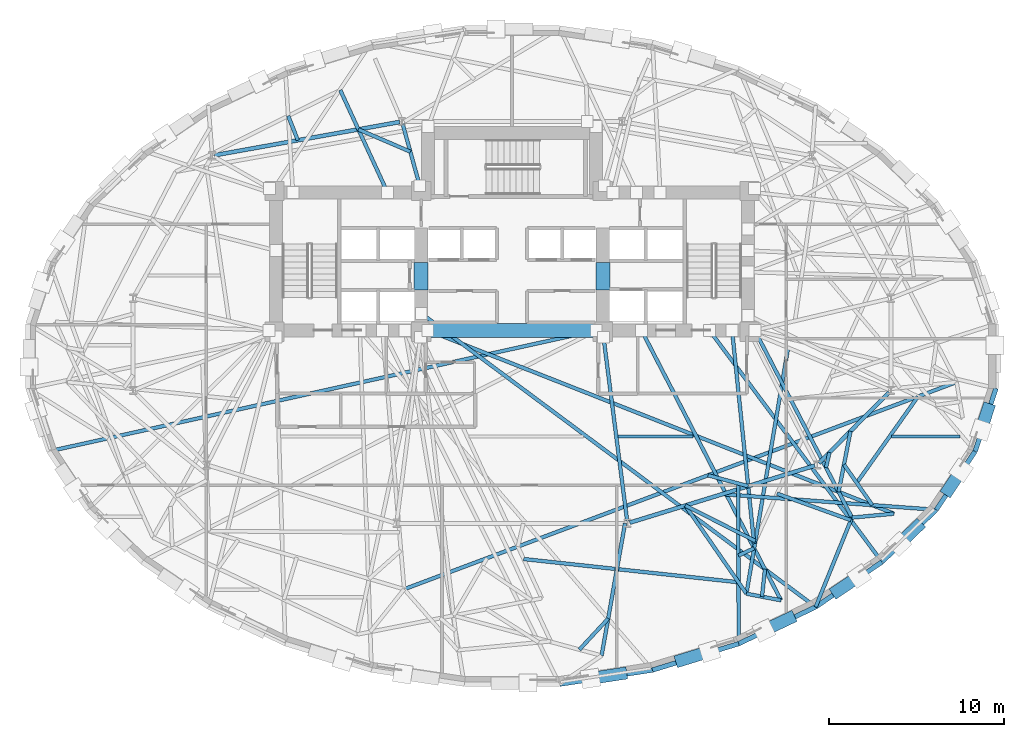
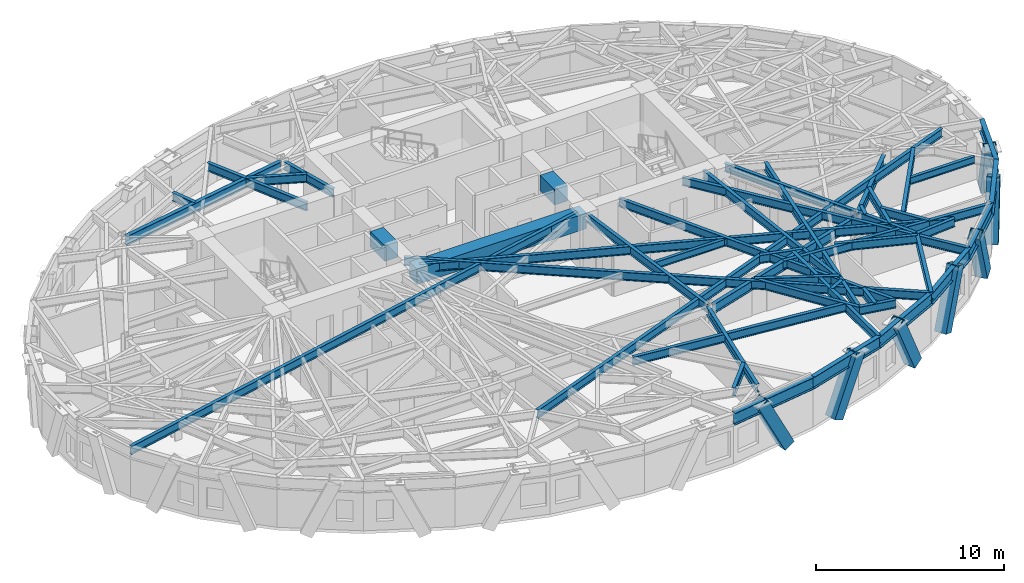
# One storey, part 3 of 14: 47 beams, 7 members.
"""IFC4 building model written with IfcOpenShell, lengths in metres."""

from ifc_helpers import new_model, si_unit, direction, frame, origin, origin_2d, place, context, subcontext, project, spatial, rectangle, hollow_rectangle, i_section, extrude, material, material_profile, profile_set, type_object, element, save


model = new_model("IFC4")

# Units and contexts
model_context = context("Model", 3, precision=1e-05, world=origin(), true_north=direction((0.0, 1.0)))
body_context = subcontext(model_context, "Body", "Model", "MODEL_VIEW")
ifc_project = project(units=[si_unit("LENGTHUNIT", "METRE"), si_unit("AREAUNIT", "SQUARE_METRE"), si_unit("VOLUMEUNIT", "CUBIC_METRE"), si_unit("PLANEANGLEUNIT", "RADIAN"), si_unit("MASSUNIT", "GRAM", prefix="KILO")], contexts=[model_context])

# Site, building, storey
site_placement = place(None, origin())
site = spatial("IfcSite", under=ifc_project, at=site_placement, CompositionType="ELEMENT")
building_placement = place(site_placement, origin())
building = spatial("IfcBuilding", under=site, at=building_placement, Name="Keldmark Tower", CompositionType="ELEMENT")
storey_placement = place(building_placement, frame((0.0, 0.0, 107.10009765625)))
storey = spatial("IfcBuildingStorey", under=building, at=storey_placement, Name="L28", CompositionType="ELEMENT", Elevation=107.10009765625)

# Beams
ifc_material_1 = material(Name="Steel ASTM A992 Grade 50", Category="steel")
ifc_material_profile_1 = material_profile(ifc_material_1, i_section(OverallWidth=0.19091796875, OverallDepth=0.45703125, WebThickness=0.009033203125, FlangeThickness=0.014404296875, at=origin_2d()), Name="W18X50")
ifc_profile_set_1 = profile_set([ifc_material_profile_1], Name="Steel ASTM A992 Grade 50")
beam_type_1 = type_object("IfcBeamType", Name="Composite Floor Joist W18X50", PredefinedType="JOIST", material=ifc_profile_set_1)
beam_1_placement = place(storey_placement, frame((6.06884765625, -4.60009765625, 3.081298828125), z_axis=(1.0, 0.0, 0.0), x_axis=(0.0, 1.0, 0.0)))
element("IfcBeam", 1, at=beam_1_placement, inside=storey, type_object=beam_type_1, Name="L28 Composite Floor Joist J06", PredefinedType="JOIST", context=body_context, shape_type="SweptSolid", body=[
    extrude(i_section(OverallWidth=0.19091796875, OverallDepth=0.45703125, WebThickness=0.009033203125, FlangeThickness=0.014404296875, at=origin_2d()), origin(), (0.0, 0.0, 1.0), 4.287353515625),
])
beam_2_placement = place(storey_placement, frame((21.74658203125, -4.60009765625, 3.081298828125), z_axis=(1.0, 0.0, 0.0), x_axis=(0.0, 1.0, 0.0)))
element("IfcBeam", 2, at=beam_2_placement, inside=storey, type_object=beam_type_1, Name="L28 Composite Floor Joist J07", PredefinedType="JOIST", context=body_context, shape_type="SweptSolid", body=[
    extrude(i_section(OverallWidth=0.19091796875, OverallDepth=0.45703125, WebThickness=0.009033203125, FlangeThickness=0.014404296875, at=origin_2d()), origin(), (0.0, 0.0, 1.0), 3.92138671875),
])
ifc_material_2 = material(Name="Concrete C70/85", Category="concrete")
ifc_material_profile_2 = material_profile(ifc_material_2, rectangle(XDim=0.800048828125, YDim=1.0, at=origin_2d()), Name="RCB800X1000")
ifc_profile_set_2 = profile_set([ifc_material_profile_2], Name="Concrete C70/85")
beam_type_2 = type_object("IfcBeamType", Name="Core Coupling Beam RCB800X1000", PredefinedType="USERDEFINED", material=ifc_profile_set_2)
for number, where, z_axis, x_axis, name in (
    (3, (-5.199951171875, 3.800048828125, 2.809814453125), (0.0, 1.0, 0.0), (-1.0, 0.0, 0.0), "L28 West Core Coupling Beam"),
    (4, (5.199951171875, 3.800048828125, 2.809814453125), (0.0, 1.0, 0.0), (-1.0, 0.0, 0.0), "L28 East Core Coupling Beam"),
):
    element("IfcBeam", number, at=place(storey_placement, frame(where, z_axis=z_axis, x_axis=x_axis)), inside=storey, type_object=beam_type_2, Name=name, ObjectType="COUPLING BEAM", PredefinedType="USERDEFINED", context=body_context, shape_type="SweptSolid", body=[
        extrude(rectangle(XDim=0.800048828125, YDim=1.0, at=origin_2d()), origin(), (0.0, 0.0, 1.0), 1.550048828125),
    ])
beam_3_placement = place(storey_placement, frame((-5.199951171875, 1.47509765625, 2.809814453125), z_axis=(1.0, 0.0, 0.0), x_axis=(0.0, 1.0, 0.0)))
element("IfcBeam", 5, at=beam_3_placement, inside=storey, type_object=beam_type_2, Name="L28 Central South Core Coupling Beam", ObjectType="COUPLING BEAM", PredefinedType="USERDEFINED", context=body_context, shape_type="SweptSolid", body=[
    extrude(rectangle(XDim=0.800048828125, YDim=1.0, at=origin_2d()), origin(), (0.0, 0.0, 1.0), 10.39990234375),
])

# Members
ifc_material_3 = material(Name="Steel ASTM A572 Grade 50", Category="steel")
ifc_material_profile_3 = material_profile(ifc_material_3, hollow_rectangle(XDim=0.699951171875, YDim=0.699951171875, WallThickness=0.044921875, at=origin_2d()), Name="BOX700X700X45")
ifc_profile_set_3 = profile_set([ifc_material_profile_3], Name="Steel ASTM A572 Grade 50")
member_type = type_object("IfcMemberType", Name="Diagrid Zone 2 Brace BOX700X700X45", PredefinedType="BRACE", material=ifc_profile_set_3)
member_1_placement = place(storey_placement, frame((6.267822265625, -18.189453125, -0.27001953125), z_axis=(-0.454742835075, -0.069170031679, 0.887932689265), x_axis=(0.150378326098, -0.98862852429, 0.0)))
element("IfcMember", 6, at=member_1_placement, inside=storey, type_object=member_type, Name="L28 Perimeter Diagrid Brace 13A", PredefinedType="BRACE", context=body_context, shape_type="SweptSolid", body=[
    extrude(hollow_rectangle(XDim=0.699951171875, YDim=0.699951171875, WallThickness=0.044921875, at=origin_2d()), origin(), (0.0, 0.0, 1.0), 3.896728515625),
])
member_2_placement = place(storey_placement, frame((9.674560546875, -17.41845703125, -0.27001953125), z_axis=(0.426027963394, 0.130385782391, 0.895265168627), x_axis=(-0.29265077454, 0.956219391228, 0.0)))
element("IfcMember", 7, at=member_2_placement, inside=storey, type_object=member_type, Name="L28 Perimeter Diagrid Brace 13B", PredefinedType="BRACE", context=body_context, shape_type="SweptSolid", body=[
    extrude(hollow_rectangle(XDim=0.699951171875, YDim=0.699951171875, WallThickness=0.044921875, at=origin_2d()), origin(), (0.0, 0.0, 1.0), 3.86474609375),
])
member_3_placement = place(storey_placement, frame((15.893310546875, -15.0126953125, -0.27001953125), z_axis=(-0.384069397332, -0.183382761287, 0.904909642393), x_axis=(0.430876766996, -0.902410777674, 0.0)))
element("IfcMember", 8, at=member_3_placement, inside=storey, type_object=member_type, Name="L28 Perimeter Diagrid Brace 14A", PredefinedType="BRACE", context=body_context, shape_type="SweptSolid", body=[
    extrude(hollow_rectangle(XDim=0.699951171875, YDim=0.699951171875, WallThickness=0.044921875, at=origin_2d()), origin(), (0.0, 0.0, 1.0), 3.823486328125),
])
member_4_placement = place(storey_placement, frame((18.618408203125, -13.459228515625, -0.27001953125), z_axis=(0.33479314782, 0.226959811273, 0.914550595779), x_axis=(-0.56112680855, 0.827729850088, 0.0)))
element("IfcMember", 9, at=member_4_placement, inside=storey, type_object=member_type, Name="L28 Perimeter Diagrid Brace 14B", PredefinedType="BRACE", context=body_context, shape_type="SweptSolid", body=[
    extrude(hollow_rectangle(XDim=0.699951171875, YDim=0.699951171875, WallThickness=0.044921875, at=origin_2d()), origin(), (0.0, 0.0, 1.0), 3.783203125),
])
member_5_placement = place(storey_placement, frame((23.212158203125, -9.759765625, -0.27001953125), z_axis=(-0.276209919312, -0.265651635468, 0.923654312526), x_axis=(0.693197078417, -0.720748090857, 0.0)))
element("IfcMember", 10, at=member_5_placement, inside=storey, type_object=member_type, Name="L28 Perimeter Diagrid Brace 15A", PredefinedType="BRACE", context=body_context, shape_type="SweptSolid", body=[
    extrude(hollow_rectangle(XDim=0.699951171875, YDim=0.699951171875, WallThickness=0.044921875, at=origin_2d()), origin(), (0.0, 0.0, 1.0), 3.745849609375),
])
member_6_placement = place(storey_placement, frame((24.9833984375, -7.657958984375, -0.27001953125), z_axis=(0.200278085254, 0.300746099768, 0.932437918599), x_axis=(-0.832330325661, 0.554279919342, 0.0)))
element("IfcMember", 11, at=member_6_placement, inside=storey, type_object=member_type, Name="L28 Perimeter Diagrid Brace 15B", PredefinedType="BRACE", context=body_context, shape_type="SweptSolid", body=[
    extrude(hollow_rectangle(XDim=0.699951171875, YDim=0.699951171875, WallThickness=0.044921875, at=origin_2d()), origin(), (0.0, 0.0, 1.0), 3.710693359375),
])
member_7_placement = place(storey_placement, frame((27.260498046875, -3.0341796875, -0.27001953125), z_axis=(-0.10788504384, -0.326107064334, 0.939156536424), x_axis=(0.94939471163, -0.314085468509, 0.0)))
element("IfcMember", 12, at=member_7_placement, inside=storey, type_object=member_type, Name="L28 Perimeter Diagrid Brace 16A", PredefinedType="BRACE", context=body_context, shape_type="SweptSolid", body=[
    extrude(hollow_rectangle(XDim=0.699951171875, YDim=0.699951171875, WallThickness=0.044921875, at=origin_2d()), origin(), (0.0, 0.0, 1.0), 3.68408203125),
])

# Beams
ifc_material_4 = material(Name="Steel ASTM A992 Grade 50", Category="steel")
ifc_material_profile_4 = material_profile(ifc_material_4, i_section(OverallWidth=0.22900390625, OverallDepth=0.612060546875, WebThickness=0.011962890625, FlangeThickness=0.01953125, at=origin_2d()), Name="W24X84")
ifc_profile_set_4 = profile_set([ifc_material_profile_4], Name="Steel ASTM A992 Grade 50")
beam_type_3 = type_object("IfcBeamType", Name="Primary Floor Girder W24X84", PredefinedType="BEAM", material=ifc_profile_set_4)
beam_4_placement = place(storey_placement, frame((-6.4365234375, 13.40771484375, 3.00390625), z_axis=(-0.984218266992, -0.176958760505, 0.0), x_axis=(0.176958760505, -0.984218266992, 0.0)))
element("IfcBeam", 13, at=beam_4_placement, inside=storey, type_object=beam_type_3, Name="L28 Floor Ring Girder FG-R04", PredefinedType="BEAM", context=body_context, shape_type="SweptSolid", body=[
    extrude(i_section(OverallWidth=0.22900390625, OverallDepth=0.612060546875, WebThickness=0.011962890625, FlangeThickness=0.01953125, at=origin_2d()), origin(), (0.0, 0.0, 1.0), 10.7626953125),
])
beam_5_placement = place(storey_placement, frame((6.74658203125, -9.5380859375, 3.00390625), z_axis=(0.955607954968, 0.294641199432, 0.0), x_axis=(-0.294641199432, 0.955607954968, 0.0)))
element("IfcBeam", 14, at=beam_5_placement, inside=storey, type_object=beam_type_3, Name="L28 Floor Ring Girder FG-R10", PredefinedType="BEAM", context=body_context, shape_type="SweptSolid", body=[
    extrude(i_section(OverallWidth=0.22900390625, OverallDepth=0.612060546875, WebThickness=0.011962890625, FlangeThickness=0.01953125, at=origin_2d()), origin(), (0.0, 0.0, 1.0), 11.089111328125),
])
beam_6_placement = place(storey_placement, frame((17.57568359375, -6.130126953125, 3.00390625), z_axis=(0.703425791323, 0.71076870788, 0.0), x_axis=(-0.71076870788, 0.703425791323, 0.0)))
element("IfcBeam", 15, at=beam_6_placement, inside=storey, type_object=beam_type_3, Name="L28 Floor Ring Girder FG-R11", PredefinedType="BEAM", context=body_context, shape_type="SweptSolid", body=[
    extrude(i_section(OverallWidth=0.22900390625, OverallDepth=0.612060546875, WebThickness=0.011962890625, FlangeThickness=0.01953125, at=origin_2d()), origin(), (0.0, 0.0, 1.0), 5.71875),
])
ifc_material_5 = material(Name="Steel ASTM A992 Grade 50", Category="steel")
ifc_material_profile_5 = material_profile(ifc_material_5, i_section(OverallWidth=0.2099609375, OverallDepth=0.537109375, WebThickness=0.010986328125, FlangeThickness=0.017333984375, at=origin_2d()), Name="W21X68")
ifc_profile_set_5 = profile_set([ifc_material_profile_5], Name="Steel ASTM A992 Grade 50")
beam_type_4 = type_object("IfcBeamType", Name="Radial Tie Girder W21X68", PredefinedType="BEAM", material=ifc_profile_set_5)
beam_7_placement = place(storey_placement, frame((-6.26171875, 13.297607421875, 3.04150390625), z_axis=(0.265997186795, -0.963973804944, 0.0), x_axis=(0.963973804944, 0.265997186795, 0.0)))
element("IfcBeam", 16, at=beam_7_placement, inside=storey, type_object=beam_type_4, Name="L28 Floor Radial Girder FG-C04", PredefinedType="BEAM", context=body_context, shape_type="SweptSolid", body=[
    extrude(i_section(OverallWidth=0.2099609375, OverallDepth=0.537109375, WebThickness=0.010986328125, FlangeThickness=0.017333984375, at=origin_2d()), origin(), (0.0, 0.0, 1.0), 3.67138671875),
])
beam_8_placement = place(storey_placement, frame((6.594970703125, -9.4404296875, 3.04150390625), z_axis=(-0.127642040045, 0.991820301069, 0.0), x_axis=(-0.991820301069, -0.127642040045, 0.0)))
element("IfcBeam", 17, at=beam_8_placement, inside=storey, type_object=beam_type_4, Name="L28 Floor Radial Girder FG-C10", PredefinedType="BEAM", context=body_context, shape_type="SweptSolid", body=[
    extrude(i_section(OverallWidth=0.2099609375, OverallDepth=0.537109375, WebThickness=0.010986328125, FlangeThickness=0.017333984375, at=origin_2d()), origin(), (0.0, 0.0, 1.0), 10.609619140625),
])
beam_9_placement = place(storey_placement, frame((-5.822265625, 11.705078125, 3.04150390625), z_axis=(-0.918742788733, 0.39485654123, 0.0), x_axis=(-0.39485654123, -0.918742788733, 0.0)))
element("IfcBeam", 18, at=beam_9_placement, inside=storey, type_object=beam_type_4, Name="L28 Framing Pin Header PH-002", PredefinedType="BEAM", context=body_context, shape_type="SweptSolid", body=[
    extrude(i_section(OverallWidth=0.2099609375, OverallDepth=0.537109375, WebThickness=0.010986328125, FlangeThickness=0.017333984375, at=origin_2d()), origin(), (0.0, 0.0, 1.0), 3.237548828125),
])
beam_10_placement = place(storey_placement, frame((-7.132080078125, 9.375, 3.04150390625), z_axis=(-0.41889505374, 0.908034654599, 0.0), x_axis=(-0.908034654599, -0.41889505374, 0.0)))
element("IfcBeam", 19, at=beam_10_placement, inside=storey, type_object=beam_type_4, Name="L28 Sub-Ring Step Girder STP1-M05", PredefinedType="BEAM", context=body_context, shape_type="SweptSolid", body=[
    extrude(i_section(OverallWidth=0.2099609375, OverallDepth=0.537109375, WebThickness=0.010986328125, FlangeThickness=0.017333984375, at=origin_2d()), origin(), (0.0, 0.0, 1.0), 6.4541015625),
])
beam_11_placement = place(storey_placement, frame((-6.1748046875, -13.349609375, 3.04150390625), z_axis=(0.936336898088, 0.351102852851, 0.0), x_axis=(-0.351102852851, 0.936336898088, 0.0)))
element("IfcBeam", 20, at=beam_11_placement, inside=storey, type_object=beam_type_4, Name="L28 Perimeter Collector Ring Beam CRG1-M09", PredefinedType="BEAM", context=body_context, shape_type="SweptSolid", body=[
    extrude(i_section(OverallWidth=0.2099609375, OverallDepth=0.537109375, WebThickness=0.010986328125, FlangeThickness=0.017333984375, at=origin_2d()), origin(), (0.0, 0.0, 1.0), 33.787109375),
])
beam_12_placement = place(storey_placement, frame((11.22509765625, -6.8251953125, 3.04150390625), z_axis=(0.965260823005, -0.261288238485, 0.0), x_axis=(0.261288238485, 0.965260823005, 0.0)))
element("IfcBeam", 21, at=beam_12_placement, inside=storey, type_object=beam_type_4, Name="L28 Framing Pin Header PH-014", PredefinedType="BEAM", context=body_context, shape_type="SweptSolid", body=[
    extrude(i_section(OverallWidth=0.2099609375, OverallDepth=0.537109375, WebThickness=0.010986328125, FlangeThickness=0.017333984375, at=origin_2d()), origin(), (0.0, 0.0, 1.0), 2.383544921875),
])
beam_13_placement = place(storey_placement, frame((12.603515625, 1.47509765625, 3.04150390625), z_axis=(0.102811001246, -0.994700908828, 0.0), x_axis=(0.994700908828, 0.102811001246, 0.0)))
element("IfcBeam", 22, at=beam_13_placement, inside=storey, type_object=beam_type_4, Name="L28 Sub-Ring Step Girder STP2-M11", PredefinedType="BEAM", context=body_context, shape_type="SweptSolid", body=[
    extrude(i_section(OverallWidth=0.2099609375, OverallDepth=0.537109375, WebThickness=0.010986328125, FlangeThickness=0.017333984375, at=origin_2d()), origin(), (0.0, 0.0, 1.0), 12.2841796875),
])
beam_14_placement = place(storey_placement, frame((-12.2626953125, 12.360107421875, 3.04150390625), z_axis=(-0.369063913869, 0.929404017357, 0.0), x_axis=(-0.929404017357, -0.369063913869, 0.0)))
element("IfcBeam", 23, at=beam_14_placement, inside=storey, type_object=beam_type_4, Name="L28 Framing Pin Header PH-021", PredefinedType="BEAM", context=body_context, shape_type="SweptSolid", body=[
    extrude(i_section(OverallWidth=0.2099609375, OverallDepth=0.537109375, WebThickness=0.010986328125, FlangeThickness=0.017333984375, at=origin_2d()), origin(), (0.0, 0.0, 1.0), 1.502197265625),
])
beam_15_placement = place(storey_placement, frame((4.824951171875, 1.47509765625, 3.04150390625), z_axis=(-0.976430149111, -0.215833648692, 0.0), x_axis=(0.215833648692, -0.976430149111, 0.0)))
element("IfcBeam", 24, at=beam_15_placement, inside=storey, type_object=beam_type_4, Name="L28 Perimeter Radial Tie Girder RT-18", PredefinedType="BEAM", context=body_context, shape_type="SweptSolid", body=[
    extrude(i_section(OverallWidth=0.2099609375, OverallDepth=0.537109375, WebThickness=0.010986328125, FlangeThickness=0.017333984375, at=origin_2d()), origin(), (0.0, 0.0, 1.0), 32.104248046875),
])
beam_16_placement = place(storey_placement, frame((9.92578125, -8.557861328125, 3.04150390625), z_axis=(0.89201446868, -0.452006844711, 0.0), x_axis=(0.452006844711, 0.89201446868, 0.0)))
element("IfcBeam", 25, at=beam_16_placement, inside=storey, type_object=beam_type_4, Name="L28 Framing Pin Header PH-036", PredefinedType="BEAM", context=body_context, shape_type="SweptSolid", body=[
    extrude(i_section(OverallWidth=0.2099609375, OverallDepth=0.537109375, WebThickness=0.010986328125, FlangeThickness=0.017333984375, at=origin_2d()), origin(), (0.0, 0.0, 1.0), 4.49658203125),
])
beam_17_placement = place(storey_placement, frame((15.8134765625, 0.47998046875, 3.04150390625), z_axis=(-0.167141733983, -0.985932878426, 0.0), x_axis=(0.985932878426, -0.167141733983, 0.0)))
element("IfcBeam", 26, at=beam_17_placement, inside=storey, type_object=beam_type_4, Name="L28 Intermediate Radial Step Girder RT-27M", PredefinedType="BEAM", context=body_context, shape_type="SweptSolid", body=[
    extrude(i_section(OverallWidth=0.2099609375, OverallDepth=0.537109375, WebThickness=0.010986328125, FlangeThickness=0.017333984375, at=origin_2d()), origin(), (0.0, 0.0, 1.0), 14.286865234375),
])
beam_18_placement = place(storey_placement, frame((9.92578125, -8.557861328125, 3.04150390625), z_axis=(0.5697513477, -0.821817134035, 0.0), x_axis=(0.821817134035, 0.5697513477, 0.0)))
element("IfcBeam", 27, at=beam_18_placement, inside=storey, type_object=beam_type_4, Name="L28 Local Collector Chord RT-27C", PredefinedType="BEAM", context=body_context, shape_type="SweptSolid", body=[
    extrude(i_section(OverallWidth=0.2099609375, OverallDepth=0.537109375, WebThickness=0.010986328125, FlangeThickness=0.017333984375, at=origin_2d()), origin(), (0.0, 0.0, 1.0), 6.142578125),
])
beam_19_placement = place(storey_placement, frame((0.669189453125, -11.62109375, 3.04150390625), z_axis=(0.994206363768, -0.107488167923, 0.0), x_axis=(0.107488167923, 0.994206363768, 0.0)))
element("IfcBeam", 28, at=beam_19_placement, inside=storey, type_object=beam_type_4, Name="L28 Framing Pin Header PH-037", PredefinedType="BEAM", context=body_context, shape_type="SweptSolid", body=[
    extrude(i_section(OverallWidth=0.2099609375, OverallDepth=0.537109375, WebThickness=0.010986328125, FlangeThickness=0.017333984375, at=origin_2d()), origin(), (0.0, 0.0, 1.0), 12.374267578125),
])
beam_20_placement = place(storey_placement, frame((12.95068359375, -7.292236328125, 3.04150390625), z_axis=(0.003724963514, -0.999993062299, 0.0), x_axis=(0.999993062299, 0.003724963514, 0.0)))
element("IfcBeam", 29, at=beam_20_placement, inside=storey, type_object=beam_type_4, Name="L28 Perimeter Radial Tie Girder RT-27", PredefinedType="BEAM", context=body_context, shape_type="SweptSolid", body=[
    extrude(i_section(OverallWidth=0.2099609375, OverallDepth=0.537109375, WebThickness=0.010986328125, FlangeThickness=0.017333984375, at=origin_2d()), origin(), (0.0, 0.0, 1.0), 9.17578125),
])
beam_21_placement = place(storey_placement, frame((12.966064453125, -11.42138671875, 3.04150390625), z_axis=(0.907079392959, 0.420959588166, 0.0), x_axis=(-0.420959588166, 0.907079392959, 0.0)))
element("IfcBeam", 30, at=beam_21_placement, inside=storey, type_object=beam_type_4, Name="L28 Framing Pin Header PH-038", PredefinedType="BEAM", context=body_context, shape_type="SweptSolid", body=[
    extrude(i_section(OverallWidth=0.2099609375, OverallDepth=0.537109375, WebThickness=0.010986328125, FlangeThickness=0.017333984375, at=origin_2d()), origin(), (0.0, 0.0, 1.0), 0.992919921875),
])
beam_22_placement = place(storey_placement, frame((7.41796875, 1.47509765625, 3.04150390625), z_axis=(0.459109556407, -0.888379657137, 0.0), x_axis=(0.888379657137, 0.459109556407, 0.0)))
element("IfcBeam", 31, at=beam_22_placement, inside=storey, type_object=beam_type_4, Name="L28 Intermediate Radial Step Girder RT-28M", PredefinedType="BEAM", context=body_context, shape_type="SweptSolid", body=[
    extrude(i_section(OverallWidth=0.2099609375, OverallDepth=0.537109375, WebThickness=0.010986328125, FlangeThickness=0.017333984375, at=origin_2d()), origin(), (0.0, 0.0, 1.0), 17.402587890625),
])
beam_23_placement = place(storey_placement, frame((13.425537109375, -13.60595703125, 3.04150390625), z_axis=(0.982193207505, -0.18787363607, 0.0), x_axis=(0.18787363607, 0.982193207505, 0.0)))
element("IfcBeam", 32, at=beam_23_placement, inside=storey, type_object=beam_type_4, Name="L28 Local Collector Chord RT-28C", PredefinedType="BEAM", context=body_context, shape_type="SweptSolid", body=[
    extrude(i_section(OverallWidth=0.2099609375, OverallDepth=0.537109375, WebThickness=0.010986328125, FlangeThickness=0.017333984375, at=origin_2d()), origin(), (0.0, 0.0, 1.0), 2.01806640625),
])
beam_24_placement = place(storey_placement, frame((14.3173828125, -13.776611328125, 3.04150390625), z_axis=(0.107246862306, 0.994232422789, 0.0), x_axis=(-0.994232422789, 0.107246862306, 0.0)))
element("IfcBeam", 33, at=beam_24_placement, inside=storey, type_object=beam_type_4, Name="L28 Framing Pin Header PH-039", PredefinedType="BEAM", context=body_context, shape_type="SweptSolid", body=[
    extrude(i_section(OverallWidth=0.2099609375, OverallDepth=0.537109375, WebThickness=0.010986328125, FlangeThickness=0.017333984375, at=origin_2d()), origin(), (0.0, 0.0, 1.0), 1.58203125),
])
beam_25_placement = place(storey_placement, frame((-5.199951171875, 2.449951171875, 3.04150390625), z_axis=(0.802179432186, -0.59708304161, 0.0), x_axis=(0.59708304161, 0.802179432186, 0.0)))
element("IfcBeam", 34, at=beam_25_placement, inside=storey, type_object=beam_type_4, Name="L28 Perimeter Radial Tie Girder RT-28", PredefinedType="BEAM", context=body_context, shape_type="SweptSolid", body=[
    extrude(i_section(OverallWidth=0.2099609375, OverallDepth=0.537109375, WebThickness=0.010986328125, FlangeThickness=0.017333984375, at=origin_2d()), origin(), (0.0, 0.0, 1.0), 28.16064453125),
])
beam_26_placement = place(storey_placement, frame((18.17919921875, -5.5205078125, 3.04150390625), z_axis=(-0.218472344851, -0.975843140333, 0.0), x_axis=(0.975843140333, -0.218472344851, 0.0)))
element("IfcBeam", 35, at=beam_26_placement, inside=storey, type_object=beam_type_4, Name="L28 Framing Pin Header PH-040", PredefinedType="BEAM", context=body_context, shape_type="SweptSolid", body=[
    extrude(i_section(OverallWidth=0.2099609375, OverallDepth=0.537109375, WebThickness=0.010986328125, FlangeThickness=0.017333984375, at=origin_2d()), origin(), (0.0, 0.0, 1.0), 0.888427734375),
])
beam_27_placement = place(storey_placement, frame((13.89990234375, 1.47509765625, 3.04150390625), z_axis=(0.461052437955, -0.887372892, 0.0), x_axis=(0.887372892, 0.461052437955, 0.0)))
element("IfcBeam", 36, at=beam_27_placement, inside=storey, type_object=beam_type_4, Name="L28 Intermediate Radial Step Girder RT-29M", PredefinedType="BEAM", context=body_context, shape_type="SweptSolid", body=[
    extrude(i_section(OverallWidth=0.2099609375, OverallDepth=0.537109375, WebThickness=0.010986328125, FlangeThickness=0.017333984375, at=origin_2d()), origin(), (0.0, 0.0, 1.0), 12.083251953125),
])
beam_28_placement = place(storey_placement, frame((17.389892578125, -14.3642578125, 3.04150390625), z_axis=(0.376733853868, 0.926321544254, 0.0), x_axis=(-0.926321544254, 0.376733853868, 0.0)))
element("IfcBeam", 37, at=beam_28_placement, inside=storey, type_object=beam_type_4, Name="L28 Local Collector Chord RT-29C", PredefinedType="BEAM", context=body_context, shape_type="SweptSolid", body=[
    extrude(i_section(OverallWidth=0.2099609375, OverallDepth=0.537109375, WebThickness=0.010986328125, FlangeThickness=0.017333984375, at=origin_2d()), origin(), (0.0, 0.0, 1.0), 5.52392578125),
])
beam_29_placement = place(storey_placement, frame((15.182373046875, -7.875, 3.04150390625), z_axis=(0.940725912132, -0.339167743518, 0.0), x_axis=(0.339167743518, 0.940725912132, 0.0)))
element("IfcBeam", 38, at=beam_29_placement, inside=storey, type_object=beam_type_4, Name="L28 Framing Pin Header PH-041", PredefinedType="BEAM", context=body_context, shape_type="SweptSolid", body=[
    extrude(i_section(OverallWidth=0.2099609375, OverallDepth=0.537109375, WebThickness=0.010986328125, FlangeThickness=0.017333984375, at=origin_2d()), origin(), (0.0, 0.0, 1.0), 4.4931640625),
])
beam_30_placement = place(storey_placement, frame((11.30712890625, 1.47509765625, 3.04150390625), z_axis=(0.597474809089, -0.801887680728, 0.0), x_axis=(0.801887680728, 0.597474809089, 0.0)))
element("IfcBeam", 39, at=beam_30_placement, inside=storey, type_object=beam_type_4, Name="L28 Perimeter Radial Tie Girder RT-29", PredefinedType="BEAM", context=body_context, shape_type="SweptSolid", body=[
    extrude(i_section(OverallWidth=0.2099609375, OverallDepth=0.537109375, WebThickness=0.010986328125, FlangeThickness=0.017333984375, at=origin_2d()), origin(), (0.0, 0.0, 1.0), 16.54052734375),
])
beam_31_placement = place(storey_placement, frame((19.385986328125, -4.301025390625, 3.04150390625), z_axis=(-0.191792197269, -0.981435557266, 0.0), x_axis=(0.981435557266, -0.191792197269, 0.0)))
element("IfcBeam", 40, at=beam_31_placement, inside=storey, type_object=beam_type_4, Name="L28 Framing Pin Header PH-042", PredefinedType="BEAM", context=body_context, shape_type="SweptSolid", body=[
    extrude(i_section(OverallWidth=0.2099609375, OverallDepth=0.537109375, WebThickness=0.010986328125, FlangeThickness=0.017333984375, at=origin_2d()), origin(), (0.0, 0.0, 1.0), 3.541259765625),
])
beam_32_placement = place(storey_placement, frame((-4.824951171875, 1.47509765625, 3.04150390625), z_axis=(0.930656016683, -0.365895310999, 0.0), x_axis=(0.365895310999, 0.930656016683, 0.0)))
element("IfcBeam", 41, at=beam_32_placement, inside=storey, type_object=beam_type_4, Name="L28 Intermediate Radial Step Girder RT-30M", PredefinedType="BEAM", context=body_context, shape_type="SweptSolid", body=[
    extrude(i_section(OverallWidth=0.2099609375, OverallDepth=0.537109375, WebThickness=0.010986328125, FlangeThickness=0.017333984375, at=origin_2d()), origin(), (0.0, 0.0, 1.0), 28.69677734375),
])
beam_33_placement = place(storey_placement, frame((19.470947265625, -9.247314453125, 3.04150390625), z_axis=(0.995771647265, 0.091863085636, 0.0), x_axis=(-0.091863085636, 0.995771647265, 0.0)))
element("IfcBeam", 42, at=beam_33_placement, inside=storey, type_object=beam_type_4, Name="L28 Local Collector Chord RT-30C", PredefinedType="BEAM", context=body_context, shape_type="SweptSolid", body=[
    extrude(i_section(OverallWidth=0.2099609375, OverallDepth=0.537109375, WebThickness=0.010986328125, FlangeThickness=0.017333984375, at=origin_2d()), origin(), (0.0, 0.0, 1.0), 2.421142578125),
])
beam_34_placement = place(storey_placement, frame((19.012451171875, -6.21240234375, 3.04150390625), z_axis=(0.572536208018, -0.819879436569, 0.0), x_axis=(0.819879436569, 0.572536208018, 0.0)))
element("IfcBeam", 43, at=beam_34_placement, inside=storey, type_object=beam_type_4, Name="L28 Framing Pin Header PH-043", PredefinedType="BEAM", context=body_context, shape_type="SweptSolid", body=[
    extrude(i_section(OverallWidth=0.2099609375, OverallDepth=0.537109375, WebThickness=0.010986328125, FlangeThickness=0.017333984375, at=origin_2d()), origin(), (0.0, 0.0, 1.0), 2.831787109375),
])
beam_35_placement = place(storey_placement, frame((12.044921875, -7.904541015625, 3.04150390625), z_axis=(0.997323338441, -0.07311743021, 0.0), x_axis=(0.07311743021, 0.997323338441, 0.0)))
element("IfcBeam", 44, at=beam_35_placement, inside=storey, type_object=beam_type_4, Name="L28 Perimeter Radial Tie Girder RT-30", PredefinedType="BEAM", context=body_context, shape_type="SweptSolid", body=[
    extrude(i_section(OverallWidth=0.2099609375, OverallDepth=0.537109375, WebThickness=0.010986328125, FlangeThickness=0.017333984375, at=origin_2d()), origin(), (0.0, 0.0, 1.0), 12.281005859375),
])
beam_36_placement = place(storey_placement, frame((19.7421875, -7.25732421875, 3.04150390625), z_axis=(0.578692534562, 0.815545799108, 0.0), x_axis=(-0.815545799108, 0.578692534562, 0.0)))
element("IfcBeam", 45, at=beam_36_placement, inside=storey, type_object=beam_type_4, Name="L28 Framing Pin Header PH-044", PredefinedType="BEAM", context=body_context, shape_type="SweptSolid", body=[
    extrude(i_section(OverallWidth=0.2099609375, OverallDepth=0.537109375, WebThickness=0.010986328125, FlangeThickness=0.017333984375, at=origin_2d()), origin(), (0.0, 0.0, 1.0), 6.057861328125),
])
beam_37_placement = place(storey_placement, frame((5.131591796875, -17.1533203125, 3.04150390625), z_axis=(0.174381017898, 0.984678252322, 0.0), x_axis=(-0.984678252322, 0.174381017898, 0.0)))
element("IfcBeam", 46, at=beam_37_placement, inside=storey, type_object=beam_type_4, Name="L28 Straddling Support Chord RT-26RB", PredefinedType="BEAM", context=body_context, shape_type="SweptSolid", body=[
    extrude(i_section(OverallWidth=0.2099609375, OverallDepth=0.537109375, WebThickness=0.010986328125, FlangeThickness=0.017333984375, at=origin_2d()), origin(), (0.0, 0.0, 1.0), 7.69189453125),
])
beam_38_placement = place(storey_placement, frame((3.8603515625, -16.808837890625, 3.04150390625), z_axis=(0.679940549102, 0.73326724302, 0.0), x_axis=(-0.73326724302, 0.679940549102, 0.0)))
element("IfcBeam", 47, at=beam_38_placement, inside=storey, type_object=beam_type_4, Name="L28 Framing Pin Header PH-050", PredefinedType="BEAM", context=body_context, shape_type="SweptSolid", body=[
    extrude(i_section(OverallWidth=0.2099609375, OverallDepth=0.537109375, WebThickness=0.010986328125, FlangeThickness=0.017333984375, at=origin_2d()), origin(), (0.0, 0.0, 1.0), 2.421875),
])
ifc_material_6 = material(Name="Steel ASTM A992 Grade 50", Category="steel")
ifc_material_profile_6 = material_profile(ifc_material_6, i_section(OverallWidth=0.26806640625, OverallDepth=0.77001953125, WebThickness=0.015625, FlangeThickness=0.025390625, at=origin_2d()), Name="W30X132")
ifc_profile_set_6 = profile_set([ifc_material_profile_6], Name="Steel ASTM A992 Grade 50")
beam_type_5 = type_object("IfcBeamType", Name="Spandrel Ring Beam W30X132", PredefinedType="SPANDREL", material=ifc_profile_set_6)
beam_39_placement = place(storey_placement, frame((2.729736328125, -18.788330078125, 2.9248046875), z_axis=(0.988621773192, 0.150422702975, 0.0), x_axis=(-0.150422702975, 0.988621773192, 0.0)))
element("IfcBeam", 48, at=beam_39_placement, inside=storey, type_object=beam_type_5, Name="L28 Perimeter Spandrel Ring Beam SRB-25", PredefinedType="SPANDREL", context=body_context, shape_type="SweptSolid", body=[
    extrude(i_section(OverallWidth=0.26806640625, OverallDepth=0.77001953125, WebThickness=0.015625, FlangeThickness=0.025390625, at=origin_2d()), origin(), (0.0, 0.0, 1.0), 5.377197265625),
])
beam_40_placement = place(storey_placement, frame((8.045654296875, -17.9794921875, 2.9248046875), z_axis=(0.956228569431, 0.292620783617, 0.0), x_axis=(-0.292620783617, 0.956228569431, 0.0)))
element("IfcBeam", 49, at=beam_40_placement, inside=storey, type_object=beam_type_5, Name="L28 Perimeter Spandrel Ring Beam SRB-26", PredefinedType="SPANDREL", context=body_context, shape_type="SweptSolid", body=[
    extrude(i_section(OverallWidth=0.26806640625, OverallDepth=0.77001953125, WebThickness=0.015625, FlangeThickness=0.025390625, at=origin_2d()), origin(), (0.0, 0.0, 1.0), 5.165283203125),
])
beam_41_placement = place(storey_placement, frame((12.98486328125, -16.468017578125, 2.9248046875), z_axis=(0.902372757907, 0.430956385018, 0.0), x_axis=(-0.430956385018, 0.902372757907, 0.0)))
element("IfcBeam", 50, at=beam_41_placement, inside=storey, type_object=beam_type_5, Name="L28 Perimeter Spandrel Ring Beam SRB-27", PredefinedType="SPANDREL", context=body_context, shape_type="SweptSolid", body=[
    extrude(i_section(OverallWidth=0.26806640625, OverallDepth=0.77001953125, WebThickness=0.015625, FlangeThickness=0.025390625, at=origin_2d()), origin(), (0.0, 0.0, 1.0), 4.881591796875),
])
beam_42_placement = place(storey_placement, frame((17.389892578125, -14.3642578125, 2.9248046875), z_axis=(0.827754551165, 0.56109036975, 0.0), x_axis=(-0.56109036975, 0.827754551165, 0.0)))
element("IfcBeam", 51, at=beam_42_placement, inside=storey, type_object=beam_type_5, Name="L28 Perimeter Spandrel Ring Beam SRB-28", PredefinedType="SPANDREL", context=body_context, shape_type="SweptSolid", body=[
    extrude(i_section(OverallWidth=0.26806640625, OverallDepth=0.77001953125, WebThickness=0.015625, FlangeThickness=0.025390625, at=origin_2d()), origin(), (0.0, 0.0, 1.0), 4.590576171875),
])
beam_43_placement = place(storey_placement, frame((21.189697265625, -11.78857421875, 2.9248046875), z_axis=(0.720581378362, 0.693370375166, 0.0), x_axis=(-0.693370375166, 0.720581378362, 0.0)))
element("IfcBeam", 52, at=beam_43_placement, inside=storey, type_object=beam_type_5, Name="L28 Perimeter Spandrel Ring Beam SRB-29", PredefinedType="SPANDREL", context=body_context, shape_type="SweptSolid", body=[
    extrude(i_section(OverallWidth=0.26806640625, OverallDepth=0.77001953125, WebThickness=0.015625, FlangeThickness=0.025390625, at=origin_2d()), origin(), (0.0, 0.0, 1.0), 4.306640625),
])
beam_44_placement = place(storey_placement, frame((24.29296875, -8.802490234375, 2.9248046875), z_axis=(0.554265966169, 0.832339617432, 0.0), x_axis=(-0.832339617432, 0.554265966169, 0.0)))
element("IfcBeam", 53, at=beam_44_placement, inside=storey, type_object=beam_type_5, Name="L28 Perimeter Spandrel Ring Beam SRB-30", PredefinedType="SPANDREL", context=body_context, shape_type="SweptSolid", body=[
    extrude(i_section(OverallWidth=0.26806640625, OverallDepth=0.77001953125, WebThickness=0.015625, FlangeThickness=0.025390625, at=origin_2d()), origin(), (0.0, 0.0, 1.0), 4.02294921875),
])
beam_45_placement = place(storey_placement, frame((26.522705078125, -5.4541015625, 2.9248046875), z_axis=(0.314316911692, 0.94931811266, 0.0), x_axis=(-0.94931811266, 0.314316911692, 0.0)))
element("IfcBeam", 54, at=beam_45_placement, inside=storey, type_object=beam_type_5, Name="L28 Perimeter Spandrel Ring Beam SRB-31", PredefinedType="SPANDREL", context=body_context, shape_type="SweptSolid", body=[
    extrude(i_section(OverallWidth=0.26806640625, OverallDepth=0.77001953125, WebThickness=0.015625, FlangeThickness=0.025390625, at=origin_2d()), origin(), (0.0, 0.0, 1.0), 3.7958984375),
])

save(model, "model.ifc")
